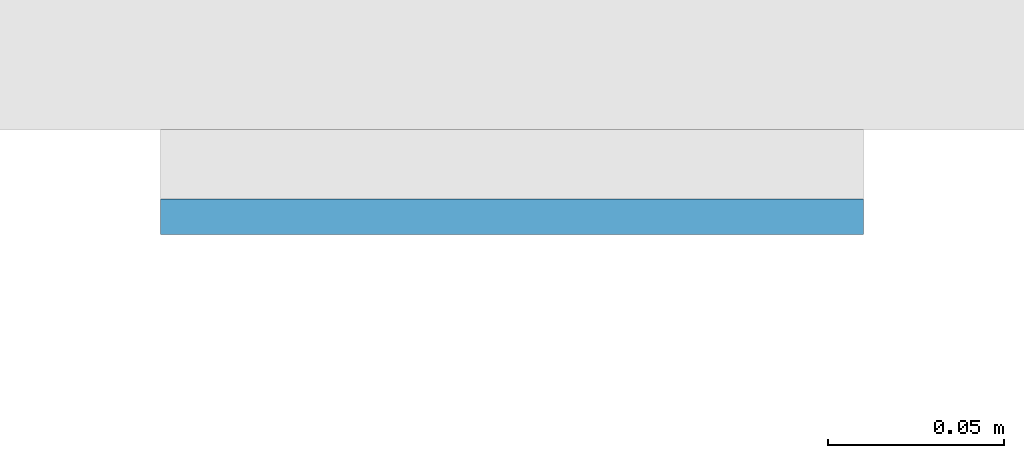
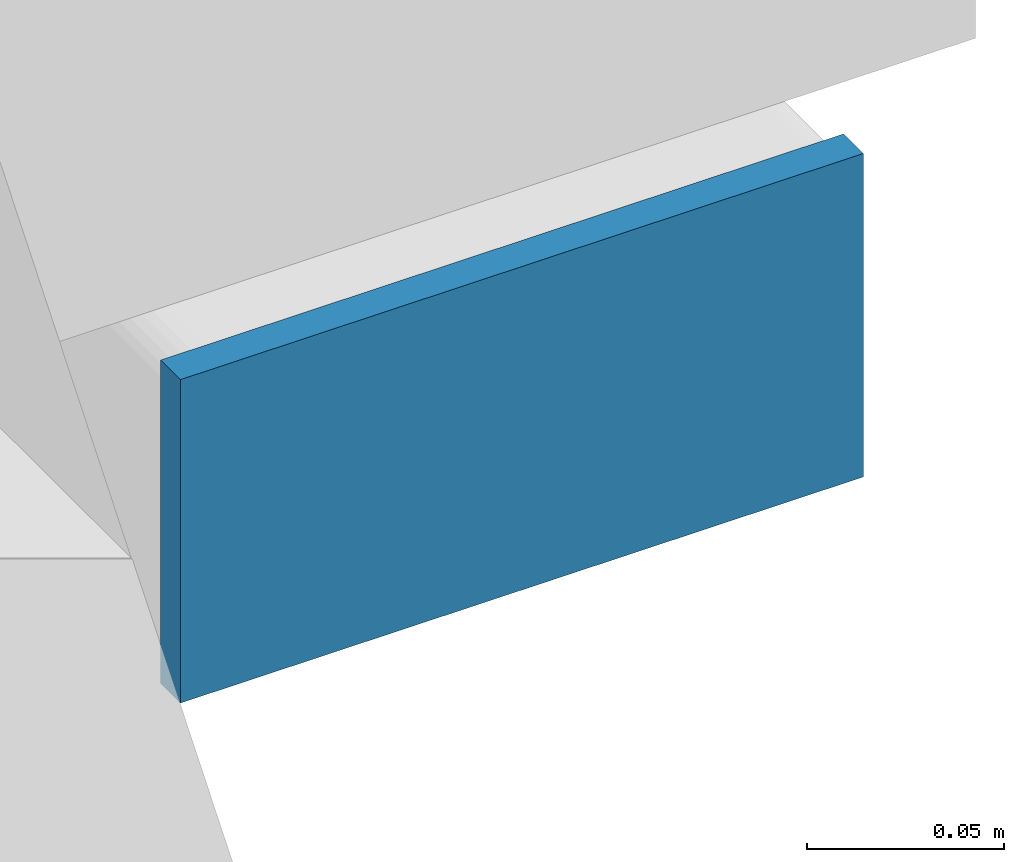
# One storey, part 5 of 12: 1 plate.
"""IFC4 building model written with IfcOpenShell, lengths in metres."""

from ifc_helpers import new_model, si_unit, direction, frame, origin, origin_2d, place, context, subcontext, project, spatial, rectangle, extrude, material, layer, layer_set, type_object, element, save


model = new_model("IFC4")

# Units and contexts
model_context = context("Model", 3, precision=1e-05, world=origin(), true_north=direction((0.0, 1.0)))
body_context = subcontext(model_context, "Body", "Model", "MODEL_VIEW")
ifc_project = project(units=[si_unit("LENGTHUNIT", "METRE"), si_unit("AREAUNIT", "SQUARE_METRE"), si_unit("VOLUMEUNIT", "CUBIC_METRE"), si_unit("PLANEANGLEUNIT", "RADIAN"), si_unit("MASSUNIT", "GRAM", prefix="KILO")], contexts=[model_context])

# Site, building, storey
site_placement = place(None, origin())
site = spatial("IfcSite", under=ifc_project, at=site_placement, CompositionType="ELEMENT")
building_placement = place(site_placement, origin())
building = spatial("IfcBuilding", under=site, at=building_placement, Name="Cleftline Residences", CompositionType="ELEMENT")
storey_placement = place(building_placement, frame((0.0, 0.0, 270.0)))
storey = spatial("IfcBuildingStorey", under=building, at=storey_placement, Name="L71", CompositionType="ELEMENT", Elevation=270.0)

# Plate
ifc_material = material(Name="Steel S355, hot-dip galvanised", Category="steel")
ifc_layer = layer(ifc_material, 0.010009765625)
ifc_layer_set = layer_set([ifc_layer], Name="BAGUETTE CARRIER END PLATE 200X100X10")
plate_type = type_object("IfcPlateType", Name="BAGUETTE CARRIER END PLATE 200X100X10", PredefinedType="USERDEFINED", material=ifc_layer_set)
plate_placement = place(storey_placement, frame((66.85009765625, 3.695068359375, -0.10009765625), z_axis=(0.0, 0.0, 1.0), x_axis=(1.0, 0.0, 0.0)))
element("IfcPlate", 1, at=plate_placement, inside=storey, type_object=plate_type, Name="Baguette carrier end plate", ObjectType="BAGUETTE CARRIER END PLATE", PredefinedType="USERDEFINED", context=body_context, shape_type="SweptSolid", body=[
    extrude(rectangle(XDim=0.199951171875, YDim=0.010009765625, at=origin_2d()), origin(), (0.0, 0.0, 1.0), 0.10009765625),
])

save(model, "model.ifc")
